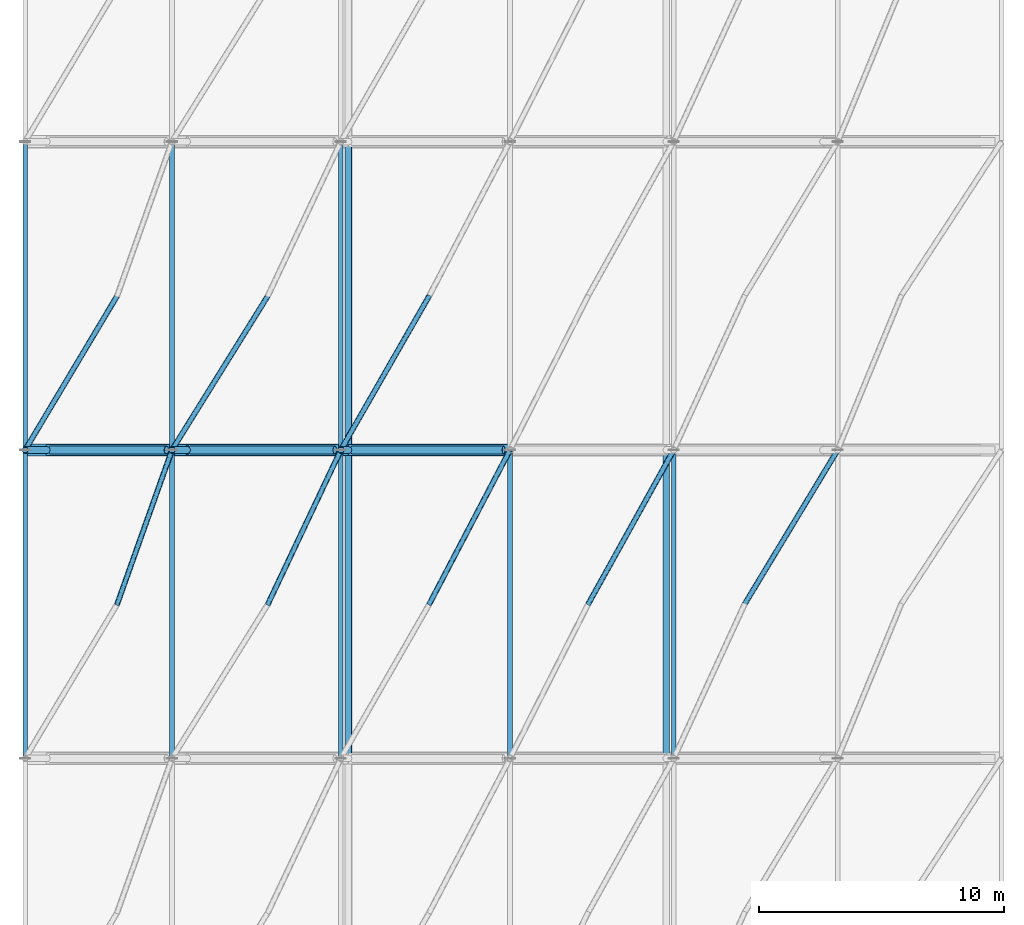
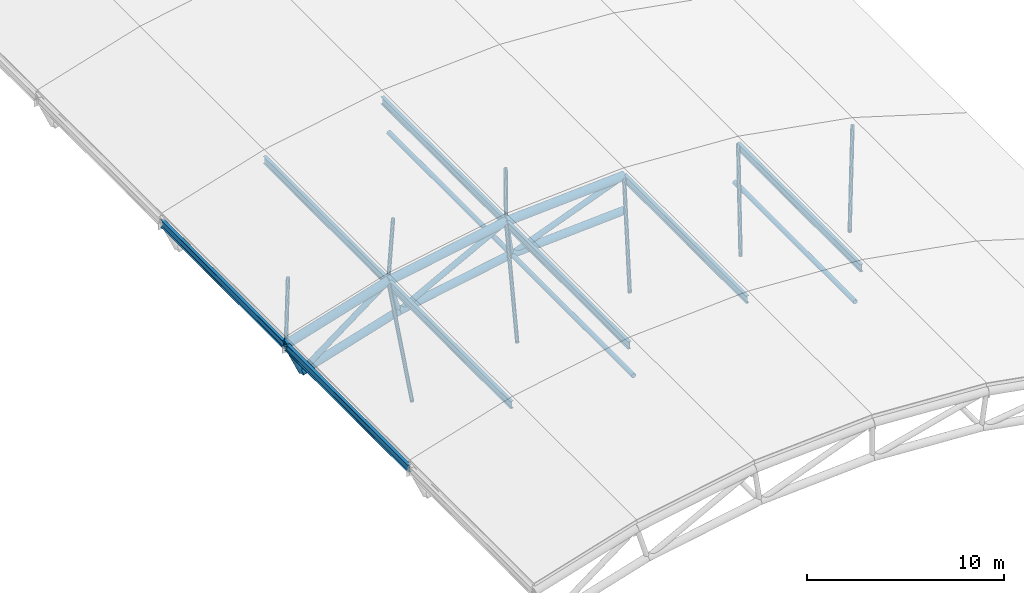
# One storey, part 3 of 18: 31 members.
"""IFC4 building model written with IfcOpenShell, lengths in metres."""

import ifcopenshell
import ifcopenshell.guid

model = None  # the IFC model being written
_history = None  # IfcOwnerHistory: only IFC2X3 demands one
_inside = {}  # id of a spatial element -> (the spatial element, [elements in it])
_under = {}  # id of a project, library or spatial element -> (it, [spatial elements below it])
_declared = {}  # id of a project -> (the project, [libraries it declares])
_typed = {}  # id of a type object -> (the type object, [elements of that type])
_made_of = {}  # id of a material, layer set ... -> (it, [elements and type objects made of it])


def new_model(schema):
    """Start an empty IFC model of exactly this schema.

    Asked for "IFC4X3", IfcOpenShell would pick the latest addendum, in which some entities
    have other attributes; the version numbers below select the first issue.
    IFC2X3 requires an IfcOwnerHistory on every rooted entity: one is made here for all.
    """
    global model, _history
    if schema == "IFC4X3":
        model = ifcopenshell.file(schema_version=(4, 3, 0, 0))
    else:
        model = ifcopenshell.file(schema=schema)
    _inside.clear()
    _under.clear()
    _declared.clear()
    _typed.clear()
    _made_of.clear()
    _history = None
    if model.schema == "IFC2X3":
        org = make("IfcOrganization", Name="unknown")
        user = make(
            "IfcPersonAndOrganization",
            ThePerson=make("IfcPerson", FamilyName="unknown"),
            TheOrganization=org,
        )
        app = make(
            "IfcApplication",
            ApplicationDeveloper=org,
            Version="unknown",
            ApplicationFullName="unknown",
            ApplicationIdentifier="unknown",
        )
        _history = make(
            "IfcOwnerHistory",
            OwningUser=user,
            OwningApplication=app,
            ChangeAction="ADDED",
            CreationDate=0,
        )
    return model


def make(cls, **values):
    """One entity of the class cls with the attributes given. An attribute that is None is left unset."""
    return model.create_entity(
        cls, **{name: value for name, value in values.items() if value is not None}
    )


def rooted(cls, **values):
    """An entity with a GlobalId (a new one), such as an element, a storey or a relation."""
    return make(cls, GlobalId=ifcopenshell.guid.new(), OwnerHistory=_history, **values)


def si_unit(unit_type, name, prefix=None):
    """IfcSIUnit, for example si_unit("LENGTHUNIT", "METRE", prefix="MILLI")."""
    return make("IfcSIUnit", UnitType=unit_type, Prefix=prefix, Name=name)


def derived_unit(unit_type, elements):
    """IfcDerivedUnit: a product of units, each with its exponent."""
    return make(
        "IfcDerivedUnit",
        Elements=[
            make("IfcDerivedUnitElement", Unit=unit, Exponent=power)
            for unit, power in elements
        ],
        UnitType=unit_type,
    )


def assignment(units):
    """IfcUnitAssignment: the units of a project."""
    return None if units is None else make("IfcUnitAssignment", Units=units)


def point(xyz):
    """IfcCartesianPoint."""
    return None if xyz is None else make("IfcCartesianPoint", Coordinates=xyz)


def direction(xyz):
    """IfcDirection."""
    return None if xyz is None else make("IfcDirection", DirectionRatios=xyz)


def frame(location, z_axis=None, x_axis=None):
    """IfcAxis2Placement3D, a coordinate frame: its origin and axes. An axis left out is left unset."""
    return make(
        "IfcAxis2Placement3D",
        Location=point(location),
        Axis=direction(z_axis),
        RefDirection=direction(x_axis),
    )


def frame_2d(location, x_axis=None):
    """IfcAxis2Placement2D, a coordinate frame in the plane: its origin and x axis."""
    return make(
        "IfcAxis2Placement2D", Location=point(location), RefDirection=direction(x_axis)
    )


def origin():
    """The frame at (0, 0, 0) with its axes left unset."""
    return frame((0.0, 0.0, 0.0))


def origin_2d():
    """The frame at (0, 0) in the plane with its x axis left unset."""
    return frame_2d((0.0, 0.0))


def place(relative_to, where):
    """IfcLocalPlacement: puts the frame where relative to a parent placement (None: the world)."""
    return make(
        "IfcLocalPlacement", PlacementRelTo=relative_to, RelativePlacement=where
    )


def context(
    kind, dimensions, precision=None, world=None, true_north=None, identifier=None
):
    """IfcGeometricRepresentationContext, for example the 3D "Model" context."""
    return make(
        "IfcGeometricRepresentationContext",
        ContextIdentifier=identifier,
        ContextType=kind,
        CoordinateSpaceDimension=dimensions,
        Precision=precision,
        WorldCoordinateSystem=world,
        TrueNorth=true_north,
    )


def subcontext(parent, identifier, kind, view, scale=None):
    """IfcGeometricRepresentationSubContext, for example "Body" below "Model"."""
    return make(
        "IfcGeometricRepresentationSubContext",
        ContextIdentifier=identifier,
        ContextType=kind,
        ParentContext=parent,
        TargetScale=scale,
        TargetView=view,
    )


def project(units=None, contexts=None):
    """IfcProject with its units and contexts."""
    return rooted(
        "IfcProject",
        Name="project",
        RepresentationContexts=contexts,
        UnitsInContext=assignment(units),
    )


def spatial(cls, under=None, at=None, **own):
    """A site, building, storey or space (cls), placed at a placement, below another one or the project."""
    s = rooted(cls, ObjectPlacement=at, **own)
    if under is not None:
        _under.setdefault(under.id(), (under, []))[1].append(s)
    return s


def profile(cls, at=None, kind="AREA", **sizes):
    """A parametric profile (cls). Its sizes go by their IFC names, for example OverallWidth=200.0."""
    return make(cls, ProfileType=kind, Position=at, **sizes)


def hollow_circle(**sizes):
    """IfcCircleHollowProfileDef."""
    return profile("IfcCircleHollowProfileDef", **sizes)


def i_section(**sizes):
    """IfcIShapeProfileDef."""
    return profile("IfcIShapeProfileDef", **sizes)


def extrude(swept, where, along, depth):
    """IfcExtrudedAreaSolid: the profile swept, set in the frame where, extruded along a direction by depth."""
    return make(
        "IfcExtrudedAreaSolid",
        SweptArea=swept,
        Position=where,
        ExtrudedDirection=direction(along),
        Depth=depth,
    )


def shape(context_of_items, identifier, shape_type, items):
    """IfcShapeRepresentation: the items that make up one representation, for example the "Body"."""
    return make(
        "IfcShapeRepresentation",
        ContextOfItems=context_of_items,
        RepresentationIdentifier=identifier,
        RepresentationType=shape_type,
        Items=items,
    )


def material(Name=None, Category=None):
    """IfcMaterial."""
    return make("IfcMaterial", Name=Name, Category=Category)


def material_profile(
    of_material, cross_section, Name=None, Category=None, Priority=None
):
    """IfcMaterialProfile: a cross section and its material."""
    return make(
        "IfcMaterialProfile",
        Name=Name,
        Material=of_material,
        Profile=cross_section,
        Priority=Priority,
        Category=Category,
    )


def profile_set(profiles, Name=None, composite=None):
    """IfcMaterialProfileSet."""
    return make(
        "IfcMaterialProfileSet",
        Name=Name,
        MaterialProfiles=profiles,
        CompositeProfile=composite,
    )


def made_of(thing, what):
    """Note that an element or type object is made of a material, layer set ...; save() writes the relation."""
    if what is not None:
        _made_of.setdefault(what.id(), (what, []))[1].append(thing)
    return thing


def type_object(cls, material=None, **own):
    """A type object (cls), such as IfcWallType, which elements share."""
    return made_of(rooted(cls, **own), material)


def element(
    cls,
    number,
    at=None,
    inside=None,
    cuts=None,
    type_object=None,
    material=None,
    context=None,
    identifier="Body",
    shape_type=None,
    held_by="IfcProductDefinitionShape",
    body=None,
    shapes=None,
    **own,
):
    """One element of the class cls, such as IfcWall. Its Tag is "e" and its number.

    at: its placement. inside: the storey or other place that contains it. cuts: it is an
    opening in that element (IfcRelVoidsElement). A single representation is given by context,
    identifier, shape_type and body (its items); several are given by shapes. held_by: the class
    of the entity that holds the representations. save() writes the other relations.
    """
    e = rooted(cls, Tag="e%d" % number, ObjectPlacement=at, **own)
    if body is not None:
        shapes = [shape(context, identifier, shape_type, body)]
    if shapes is not None:
        e.Representation = make(held_by, Representations=shapes)
    if inside is not None:
        _inside.setdefault(inside.id(), (inside, []))[1].append(e)
    if cuts is not None:
        rooted(
            "IfcRelVoidsElement", RelatingBuildingElement=cuts, RelatedOpeningElement=e
        )
    if type_object is not None:
        _typed.setdefault(type_object.id(), (type_object, []))[1].append(e)
    return made_of(e, material)


def aggregate(whole, parts):
    """IfcRelAggregates: a whole, such as a stair, and the parts it consists of."""
    return rooted("IfcRelAggregates", RelatingObject=whole, RelatedObjects=parts)


def save(model, path):
    """Write the relations noted so far, then the file.

    IfcRelAggregates (storeys below a building ...), IfcRelContainedInSpatialStructure (elements
    in a storey), IfcRelDefinesByType, IfcRelAssociatesMaterial and IfcRelDeclares: one each for
    every whole, place, type object, material and project.
    """
    for whole, parts in _under.values():
        aggregate(whole, parts)
    for where, things in _inside.values():
        rooted(
            "IfcRelContainedInSpatialStructure",
            RelatedElements=things,
            RelatingStructure=where,
        )
    for kind, things in _typed.values():
        rooted("IfcRelDefinesByType", RelatedObjects=things, RelatingType=kind)
    for what, things in _made_of.values():
        rooted("IfcRelAssociatesMaterial", RelatedObjects=things, RelatingMaterial=what)
    for by, libraries in _declared.values():
        rooted("IfcRelDeclares", RelatingContext=by, RelatedDefinitions=libraries)
    model.write(path)


model = new_model("IFC4")

# Units and contexts
model_context = context("Model", 3, precision=1e-05, world=origin(), true_north=direction((0.0, 1.0)))
body_context = subcontext(model_context, "Body", "Model", "MODEL_VIEW")
ifc_project = project(units=[si_unit("LENGTHUNIT", "METRE"), si_unit("AREAUNIT", "SQUARE_METRE"), si_unit("VOLUMEUNIT", "CUBIC_METRE"), si_unit("PLANEANGLEUNIT", "RADIAN"), si_unit("MASSUNIT", "GRAM", prefix="KILO"), derived_unit("THERMALTRANSMITTANCEUNIT", [(si_unit("MASSUNIT", "GRAM", prefix="KILO"), 1), (si_unit("TIMEUNIT", "SECOND"), -3), (si_unit("THERMODYNAMICTEMPERATUREUNIT", "KELVIN"), -1)])], contexts=[model_context])

# Site, building, storey
site_placement = place(None, origin())
site = spatial("IfcSite", under=ifc_project, at=site_placement, CompositionType="ELEMENT")
building_placement = place(site_placement, origin())
building = spatial("IfcBuilding", under=site, at=building_placement, Name="Valcora Ridge Arena", CompositionType="ELEMENT")
storey_placement = place(building_placement, frame((0.0, 0.0, 39.800048828125)))
storey = spatial("IfcBuildingStorey", under=building, at=storey_placement, Name="RF", CompositionType="ELEMENT", Elevation=39.800048828125)

# Members
ifc_material_1 = material(Name="Steel ASTM A572 Grade 50", Category="steel")
ifc_material_profile_1 = material_profile(ifc_material_1, i_section(OverallWidth=0.18994140625, OverallDepth=0.45703125, WebThickness=0.009033203125, FlangeThickness=0.014404296875, FilletRadius=0.014892578125, at=origin_2d()), Name="W18X50")
ifc_profile_set_1 = profile_set([ifc_material_profile_1], Name="Steel ASTM A572 Grade 50")
member_type_1 = type_object("IfcMemberType", Name="TY-MEMBER-PUR-W18X50", PredefinedType="PURLIN", material=ifc_profile_set_1)
for number, where, z_axis, x_axis, name in (
    (1, (36.0, 32.64990234375, -2.4501953125), (0.0, 1.0, 0.0), (-1.0, 0.0, 0.0), "PUR-W18X50 SF-PR-PUR-W18X50-0015"),
    (2, (42.0, 32.64990234375, -0.606689453125), (0.0, 1.0, 0.0), (-1.0, 0.0, 0.0), "PUR-W18X50 SF-PR-PUR-W18X50-0016"),
    (3, (48.89990234375, 32.64990234375, 0.662841796875), (0.0, 1.0, 0.0), (-1.0, 0.0, 0.0), "PUR-W18X50 SF-PR-PUR-W18X50-0017"),
    (4, (55.81005859375, 32.64990234375, 1.07958984375), (0.0, 1.0, 0.0), (-1.0, 0.0, 0.0), "PUR-W18X50 SF-PR-PUR-W18X50-0018"),
    (5, (62.5, 32.64990234375, 0.68603515625), (0.0, 1.0, 0.0), (-1.0, 0.0, 0.0), "PUR-W18X50 SF-PR-PUR-W18X50-0019"),
    (6, (36.0, 45.25, -2.4501953125), (0.0, 1.0, 0.0), (-1.0, 0.0, 0.0), "PUR-W18X50 SF-PR-PUR-W18X50-0027"),
    (7, (42.0, 45.25, -0.606689453125), (0.0, 1.0, 0.0), (-1.0, 0.0, 0.0), "PUR-W18X50 SF-PR-PUR-W18X50-0028"),
    (8, (48.89990234375, 45.25, 0.662841796875), (0.0, 1.0, 0.0), (-1.0, 0.0, 0.0), "PUR-W18X50 SF-PR-PUR-W18X50-0029"),
):
    element("IfcMember", number, at=place(storey_placement, frame(where, z_axis=z_axis, x_axis=x_axis)), inside=storey, type_object=member_type_1, Name=name, PredefinedType="PURLIN", context=body_context, shape_type="SweptSolid", body=[
        extrude(i_section(OverallWidth=0.18994140625, OverallDepth=0.45703125, WebThickness=0.009033203125, FlangeThickness=0.014404296875, FilletRadius=0.014892578125, at=origin_2d()), origin(), (0.0, 0.0, 1.0), 12.5),
    ])
ifc_material_2 = material(Name="Steel ASTM A500 Grade C", Category="steel")
ifc_material_profile_2 = material_profile(ifc_material_2, hollow_circle(Radius=0.228515625, WallThickness=0.01611328125, at=origin_2d()), Name="CHS457X16")
ifc_profile_set_2 = profile_set([ifc_material_profile_2], Name="Steel ASTM A500 Grade C")
member_type_2 = type_object("IfcMemberType", Name="TY-MEMBER-SFBC-457", PredefinedType="CHORD", material=ifc_profile_set_2)
member_1_placement = place(storey_placement, frame((36.895751953125, 45.199951171875, -4.36083984375), z_axis=(0.956190411575, 0.0, 0.292745447124), x_axis=(0.0, 1.0, 0.0)))
element("IfcMember", 9, at=member_1_placement, inside=storey, type_object=member_type_2, Name="SFBC-457 Space Frame Bottom Chord", PredefinedType="CHORD", context=body_context, shape_type="SweptSolid", body=[
    extrude(hollow_circle(Radius=0.228515625, WallThickness=0.01611328125, at=origin_2d()), origin(), (0.0, 0.0, 1.0), 5.9912109375),
])
member_2_placement = place(storey_placement, frame((42.62451171875, 45.199951171875, -2.60693359375), z_axis=(0.983574646762, 0.0, 0.180501840008), x_axis=(0.0, 1.0, 0.0)))
element("IfcMember", 10, at=member_2_placement, inside=storey, type_object=member_type_2, Name="SFBC-457 Space Frame Bottom Chord", PredefinedType="CHORD", context=body_context, shape_type="SweptSolid", body=[
    extrude(hollow_circle(Radius=0.228515625, WallThickness=0.01611328125, at=origin_2d()), origin(), (0.0, 0.0, 1.0), 6.697998046875),
])
member_3_placement = place(storey_placement, frame((49.21240234375, 45.199951171875, -1.39794921875), z_axis=(0.998185892949, 0.0, 0.060207334425), x_axis=(0.0, 1.0, 0.0)))
element("IfcMember", 11, at=member_3_placement, inside=storey, type_object=member_type_2, Name="SFBC-457 Space Frame Bottom Chord", PredefinedType="CHORD", context=body_context, shape_type="SweptSolid", body=[
    extrude(hollow_circle(Radius=0.228515625, WallThickness=0.01611328125, at=origin_2d()), origin(), (0.0, 0.0, 1.0), 6.609619140625),
])
ifc_material_profile_3 = material_profile(ifc_material_2, hollow_circle(Radius=0.136474609375, WallThickness=0.012451171875, at=origin_2d()), Name="CHS273X12")
ifc_profile_set_3 = profile_set([ifc_material_profile_3], Name="Steel ASTM A500 Grade C")
member_type_3 = type_object("IfcMemberType", Name="TY-MEMBER-SFBT-273", PredefinedType="STRUT", material=ifc_profile_set_3)
for number, where, z_axis, x_axis, name in (
    (12, (49.21240234375, 32.780029296875, -1.39794921875), (0.0, 1.0, 0.0), (-1.0, 0.0, 0.0), "SFBT-273 Space Frame Bottom Strut"),
    (13, (62.197509765625, 32.780029296875, -1.373046875), (0.0, 1.0, 0.0), (-1.0, 0.0, 0.0), "SFBT-273 Space Frame Bottom Strut"),
):
    element("IfcMember", number, at=place(storey_placement, frame(where, z_axis=z_axis, x_axis=x_axis)), inside=storey, type_object=member_type_3, Name=name, PredefinedType="STRUT", context=body_context, shape_type="SweptSolid", body=[
        extrude(hollow_circle(Radius=0.136474609375, WallThickness=0.012451171875, at=origin_2d()), origin(), (0.0, 0.0, 1.0), 12.239990234375),
    ])
member_4_placement = place(storey_placement, frame((49.21240234375, 45.3798828125, -1.39794921875), z_axis=(0.0, 1.0, 0.0), x_axis=(-1.0, 0.0, 0.0)))
element("IfcMember", 14, at=member_4_placement, inside=storey, type_object=member_type_3, Name="SFBT-273 Space Frame Bottom Strut", PredefinedType="STRUT", context=body_context, shape_type="SweptSolid", body=[
    extrude(hollow_circle(Radius=0.136474609375, WallThickness=0.012451171875, at=origin_2d()), origin(), (0.0, 0.0, 1.0), 12.240234375),
])
ifc_material_profile_4 = material_profile(ifc_material_2, hollow_circle(Radius=0.136474609375, WallThickness=0.012451171875, at=origin_2d()), Name="CHS273X12")
ifc_profile_set_4 = profile_set([ifc_material_profile_4], Name="Steel ASTM A500 Grade C")
member_type_4 = type_object("IfcMemberType", Name="TY-MEMBER-SFKP-273", PredefinedType="POST", material=ifc_profile_set_4)
member_5_placement = place(storey_placement, frame((36.895751953125, 45.199951171875, -4.36083984375), z_axis=(-0.41033677555, 0.0, 0.911934060462), x_axis=(0.0, -1.0, 0.0)))
element("IfcMember", 15, at=member_5_placement, inside=storey, type_object=member_type_4, Name="SFKP-273 Space Frame King Post", PredefinedType="POST", context=body_context, shape_type="SweptSolid", body=[
    extrude(hollow_circle(Radius=0.136474609375, WallThickness=0.012451171875, at=origin_2d()), origin(), (0.0, 0.0, 1.0), 2.182861328125),
])
member_6_placement = place(storey_placement, frame((42.62451171875, 45.199951171875, -2.60693359375), z_axis=(-0.28833013045, 0.0, 0.957531062616), x_axis=(0.0, -1.0, 0.0)))
element("IfcMember", 16, at=member_6_placement, inside=storey, type_object=member_type_4, Name="SFKP-273 Space Frame King Post", PredefinedType="POST", context=body_context, shape_type="SweptSolid", body=[
    extrude(hollow_circle(Radius=0.136474609375, WallThickness=0.012451171875, at=origin_2d()), origin(), (0.0, 0.0, 1.0), 2.166015625),
])
member_7_placement = place(storey_placement, frame((49.21240234375, 45.199951171875, -1.39794921875), z_axis=(-0.145069807623, 0.0, 0.989421422305), x_axis=(0.0, -1.0, 0.0)))
element("IfcMember", 17, at=member_7_placement, inside=storey, type_object=member_type_4, Name="SFKP-273 Space Frame King Post", PredefinedType="POST", context=body_context, shape_type="SweptSolid", body=[
    extrude(hollow_circle(Radius=0.136474609375, WallThickness=0.012451171875, at=origin_2d()), origin(), (0.0, 0.0, 1.0), 2.154052734375),
])
ifc_material_profile_5 = material_profile(ifc_material_2, hollow_circle(Radius=0.109619140625, WallThickness=0.010009765625, at=origin_2d()), Name="CHS219X10")
ifc_profile_set_5 = profile_set([ifc_material_profile_5], Name="Steel ASTM A500 Grade C")
member_type_5 = type_object("IfcMemberType", Name="TY-MEMBER-SFST-219", PredefinedType="STRUT", material=ifc_profile_set_5)
member_8_placement = place(storey_placement, frame((39.760009765625, 38.89990234375, -3.3984375), z_axis=(0.307921307202, 0.866039164288, 0.39390434688), x_axis=(-0.942215970866, 0.335006065983, 0.0)))
element("IfcMember", 18, at=member_8_placement, inside=storey, type_object=member_type_5, Name="SFST-219 Space Frame Tie Strut", PredefinedType="STRUT", context=body_context, shape_type="SweptSolid", body=[
    extrude(hollow_circle(Radius=0.109619140625, WallThickness=0.010009765625, at=origin_2d()), origin(), (0.0, 0.0, 1.0), 7.274658203125),
])
member_9_placement = place(storey_placement, frame((45.91845703125, 38.89990234375, -1.8984375), z_axis=(0.400180692741, 0.845616015082, 0.353254820484), x_axis=(-0.903892552014, 0.427759575478, 0.0)))
element("IfcMember", 19, at=member_9_placement, inside=storey, type_object=member_type_5, Name="SFST-219 Space Frame Tie Strut", PredefinedType="STRUT", context=body_context, shape_type="SweptSolid", body=[
    extrude(hollow_circle(Radius=0.109619140625, WallThickness=0.010009765625, at=origin_2d()), origin(), (0.0, 0.0, 1.0), 7.4501953125),
])
member_10_placement = place(storey_placement, frame((52.51123046875, 38.89990234375, -1.099365234375), z_axis=(0.442279706619, 0.844658661138, 0.30156327243), x_axis=(-0.885900736373, 0.463874859519, 0.0)))
element("IfcMember", 20, at=member_10_placement, inside=storey, type_object=member_type_5, Name="SFST-219 Space Frame Tie Strut", PredefinedType="STRUT", context=body_context, shape_type="SweptSolid", body=[
    extrude(hollow_circle(Radius=0.109619140625, WallThickness=0.010009765625, at=origin_2d()), origin(), (0.0, 0.0, 1.0), 7.458740234375),
])
member_11_placement = place(storey_placement, frame((59.003662109375, 38.89990234375, -1.093017578125), z_axis=(0.469970193804, 0.846838967329, 0.248981485957), x_axis=(-0.874374557103, 0.485251619154, 0.0)))
element("IfcMember", 21, at=member_11_placement, inside=storey, type_object=member_type_5, Name="SFST-219 Space Frame Tie Strut", PredefinedType="STRUT", context=body_context, shape_type="SweptSolid", body=[
    extrude(hollow_circle(Radius=0.109619140625, WallThickness=0.010009765625, at=origin_2d()), origin(), (0.0, 0.0, 1.0), 7.439453125),
])
member_12_placement = place(storey_placement, frame((65.39599609375, 38.89990234375, -1.843505859375), z_axis=(0.50761778143, 0.84070835311, 0.188503721414), x_axis=(-0.856055305628, 0.516884236272, 0.0)))
element("IfcMember", 22, at=member_12_placement, inside=storey, type_object=member_type_5, Name="SFST-219 Space Frame Tie Strut", PredefinedType="STRUT", context=body_context, shape_type="SweptSolid", body=[
    extrude(hollow_circle(Radius=0.109619140625, WallThickness=0.010009765625, at=origin_2d()), origin(), (0.0, 0.0, 1.0), 7.49365234375),
])
member_13_placement = place(storey_placement, frame((39.760009765625, 51.5, -3.3984375), z_axis=(-0.507527109704, -0.850382252185, 0.138802946956), x_axis=(0.858694396815, -0.512487983156, 0.0)))
element("IfcMember", 23, at=member_13_placement, inside=storey, type_object=member_type_5, Name="SFST-219 Space Frame Tie Strut", PredefinedType="STRUT", context=body_context, shape_type="SweptSolid", body=[
    extrude(hollow_circle(Radius=0.109619140625, WallThickness=0.010009765625, at=origin_2d()), origin(), (0.0, 0.0, 1.0), 7.408447265625),
])
member_14_placement = place(storey_placement, frame((45.91845703125, 51.5, -1.8984375), z_axis=(-0.519425044578, -0.835125437715, 0.18100587379), x_axis=(0.84915171305, -0.528149001916, 0.0)))
element("IfcMember", 24, at=member_14_placement, inside=storey, type_object=member_type_5, Name="SFST-219 Space Frame Tie Strut", PredefinedType="STRUT", context=body_context, shape_type="SweptSolid", body=[
    extrude(hollow_circle(Radius=0.109619140625, WallThickness=0.010009765625, at=origin_2d()), origin(), (0.0, 0.0, 1.0), 7.5439453125),
])
member_15_placement = place(storey_placement, frame((52.51123046875, 51.5, -1.099365234375), z_axis=(-0.48219098451, -0.841193777399, 0.244713880525), x_axis=(0.867572012448, -0.497311575591, 0.0)))
element("IfcMember", 25, at=member_15_placement, inside=storey, type_object=member_type_5, Name="SFST-219 Space Frame Tie Strut", PredefinedType="STRUT", context=body_context, shape_type="SweptSolid", body=[
    extrude(hollow_circle(Radius=0.109619140625, WallThickness=0.010009765625, at=origin_2d()), origin(), (0.0, 0.0, 1.0), 7.489501953125),
])
ifc_material_profile_6 = material_profile(ifc_material_2, hollow_circle(Radius=0.25390625, WallThickness=0.01611328125, at=origin_2d()), Name="CHS508X16")
ifc_profile_set_6 = profile_set([ifc_material_profile_6], Name="Steel ASTM A500 Grade C")
member_type_6 = type_object("IfcMemberType", Name="TY-MEMBER-SFTC-508", PredefinedType="CHORD", material=ifc_profile_set_6)
member_16_placement = place(storey_placement, frame((36.0, 45.199951171875, -2.3701171875), z_axis=(0.956181062975, 0.0, 0.292775980586), x_axis=(0.0, 1.0, 0.0)))
element("IfcMember", 26, at=member_16_placement, inside=storey, type_object=member_type_6, Name="SFTC-508 Space Frame Top Chord", PredefinedType="CHORD", context=body_context, shape_type="SweptSolid", body=[
    extrude(hollow_circle(Radius=0.25390625, WallThickness=0.01611328125, at=origin_2d()), origin(), (0.0, 0.0, 1.0), 6.27490234375),
])
member_17_placement = place(storey_placement, frame((42.0, 45.199951171875, -0.532958984375), z_axis=(0.983571765231, 0.0, 0.180517541089), x_axis=(0.0, 1.0, 0.0)))
element("IfcMember", 27, at=member_17_placement, inside=storey, type_object=member_type_6, Name="SFTC-508 Space Frame Top Chord", PredefinedType="CHORD", context=body_context, shape_type="SweptSolid", body=[
    extrude(hollow_circle(Radius=0.25390625, WallThickness=0.01611328125, at=origin_2d()), origin(), (0.0, 0.0, 1.0), 7.01513671875),
])
member_18_placement = place(storey_placement, frame((48.89990234375, 45.199951171875, 0.7333984375), z_axis=(0.998188446948, 0.0, 0.060164976346), x_axis=(0.0, 1.0, 0.0)))
element("IfcMember", 28, at=member_18_placement, inside=storey, type_object=member_type_6, Name="SFTC-508 Space Frame Top Chord", PredefinedType="CHORD", context=body_context, shape_type="SweptSolid", body=[
    extrude(hollow_circle(Radius=0.25390625, WallThickness=0.01611328125, at=origin_2d()), origin(), (0.0, 0.0, 1.0), 6.922607421875),
])
ifc_material_profile_7 = material_profile(ifc_material_2, hollow_circle(Radius=0.161865234375, WallThickness=0.012451171875, at=origin_2d()), Name="CHS323X12")
ifc_profile_set_7 = profile_set([ifc_material_profile_7], Name="Steel ASTM A500 Grade C")
member_type_7 = type_object("IfcMemberType", Name="TY-MEMBER-SFWB-323", PredefinedType="BRACE", material=ifc_profile_set_7)
member_19_placement = place(storey_placement, frame((37.023681640625, 45.199951171875, -4.264892578125), z_axis=(0.800014795818, 0.0, 0.599980271736), x_axis=(0.0, 1.0, 0.0)))
element("IfcMember", 29, at=member_19_placement, inside=storey, type_object=member_type_7, Name="SFWB-323 Space Frame Diagonal Brace", PredefinedType="BRACE", context=body_context, shape_type="SweptSolid", body=[
    extrude(hollow_circle(Radius=0.161865234375, WallThickness=0.012451171875, at=origin_2d()), origin(), (0.0, 0.0, 1.0), 5.940185546875),
])
member_20_placement = place(storey_placement, frame((42.765625, 45.199951171875, -2.53173828125), z_axis=(0.882744799962, 0.0, 0.469852762193), x_axis=(0.0, 1.0, 0.0)))
element("IfcMember", 30, at=member_20_placement, inside=storey, type_object=member_type_7, Name="SFWB-323 Space Frame Diagonal Brace", PredefinedType="BRACE", context=body_context, shape_type="SweptSolid", body=[
    extrude(hollow_circle(Radius=0.161865234375, WallThickness=0.012451171875, at=origin_2d()), origin(), (0.0, 0.0, 1.0), 6.669189453125),
])
member_21_placement = place(storey_placement, frame((49.36181640625, 45.199951171875, -1.34033203125), z_axis=(0.932850436779, 0.0, 0.360263879124), x_axis=(0.0, 1.0, 0.0)))
element("IfcMember", 31, at=member_21_placement, inside=storey, type_object=member_type_7, Name="SFWB-323 Space Frame Diagonal Brace", PredefinedType="BRACE", context=body_context, shape_type="SweptSolid", body=[
    extrude(hollow_circle(Radius=0.161865234375, WallThickness=0.012451171875, at=origin_2d()), origin(), (0.0, 0.0, 1.0), 6.63232421875),
])

save(model, "model.ifc")
